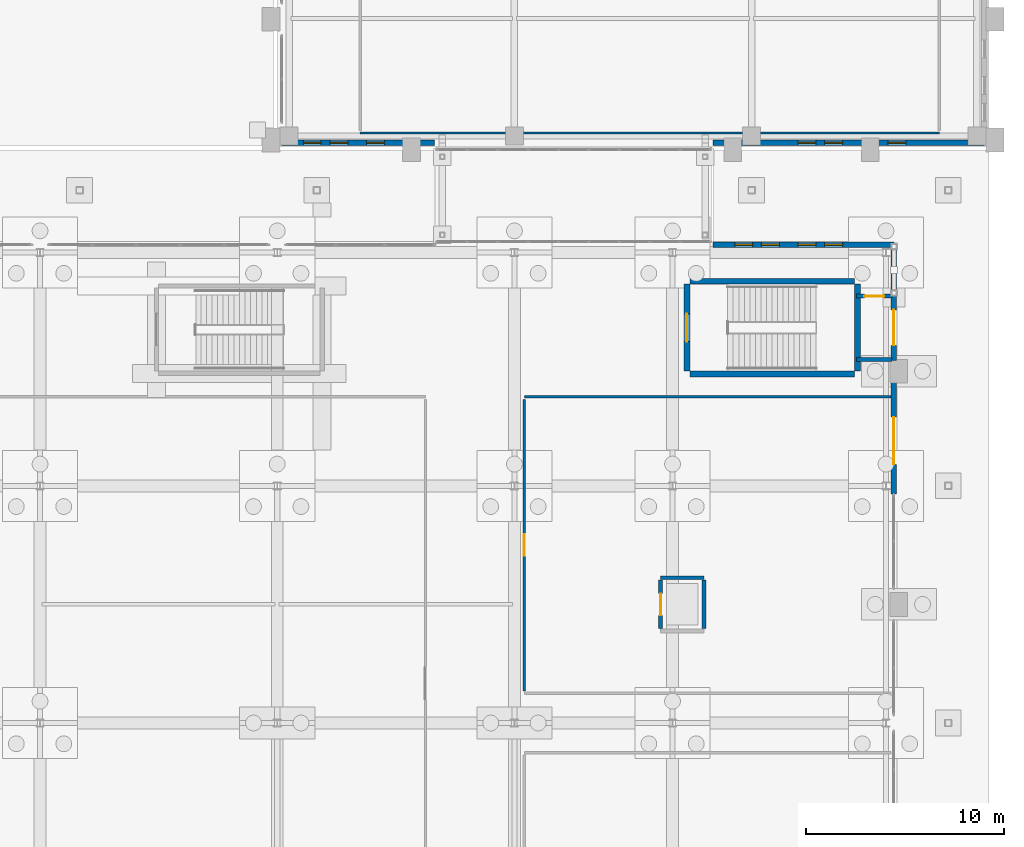
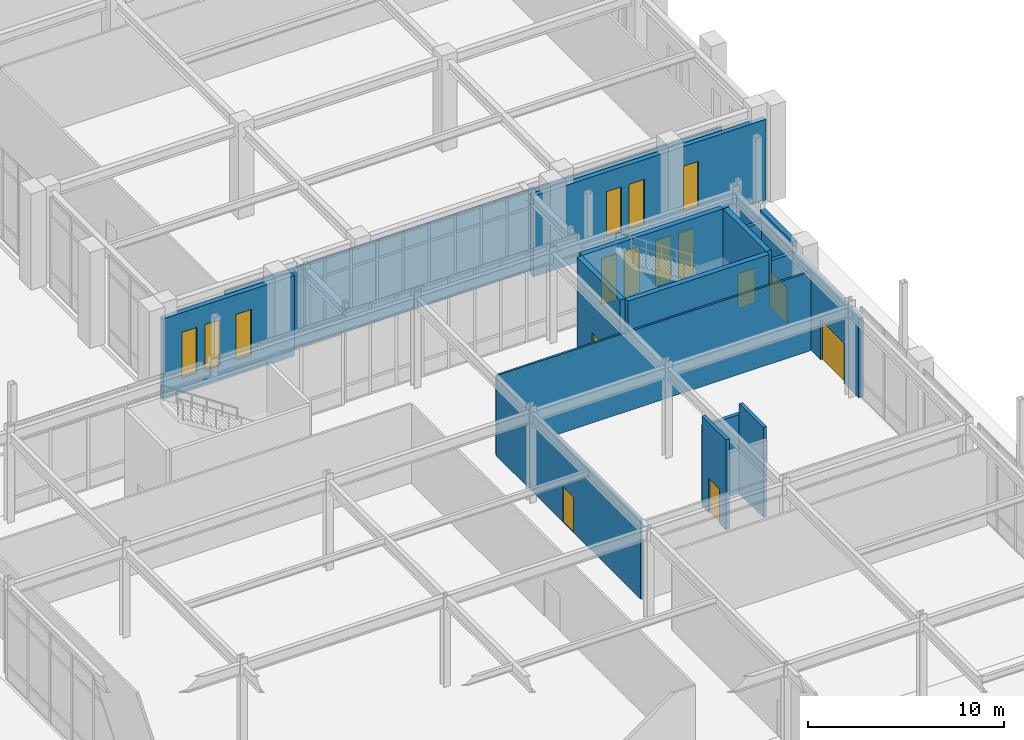
# One storey, part 117 of 143: 18 walls, 10 windows, 6 doors, 16 openings.
"""IFC4 building model written with IfcOpenShell, lengths in metres."""

from ifc_helpers import new_model, si_unit, derived_unit, direction, frame, frame_2d, origin, place, context, subcontext, project, spatial, rectangle, extrude, material, layer, layer_set, type_object, element, fill, save


model = new_model("IFC4")

# Units and contexts
model_context = context("Model", 3, precision=1e-05, world=origin(), true_north=direction((0.0, 1.0)))
body_context = subcontext(model_context, "Body", "Model", "MODEL_VIEW")
ifc_project = project(units=[si_unit("LENGTHUNIT", "METRE"), si_unit("AREAUNIT", "SQUARE_METRE"), si_unit("VOLUMEUNIT", "CUBIC_METRE"), si_unit("PLANEANGLEUNIT", "RADIAN"), si_unit("MASSUNIT", "GRAM", prefix="KILO"), derived_unit("THERMALTRANSMITTANCEUNIT", [(si_unit("MASSUNIT", "GRAM", prefix="KILO"), 1), (si_unit("TIMEUNIT", "SECOND"), -3), (si_unit("THERMODYNAMICTEMPERATUREUNIT", "KELVIN"), -1)])], contexts=[model_context])

# Site, building, storey
site_placement = place(None, origin())
site = spatial("IfcSite", under=ifc_project, at=site_placement, CompositionType="ELEMENT")
building_placement = place(site_placement, origin())
building = spatial("IfcBuilding", under=site, at=building_placement, Name="Valcora Ridge Arena", CompositionType="ELEMENT")
storey_placement = place(building_placement, origin())
storey = spatial("IfcBuildingStorey", under=building, at=storey_placement, Name="L00", CompositionType="ELEMENT", Elevation=0.0)

# Wall, opening, door
ifc_material_1 = material(Name="Bush-hammered Andean travertine on concrete backup C40/50", Category="masonry")
ifc_layer_1 = layer(ifc_material_1, 0.280029296875, Name="Bush-hammered Andean travertine on concrete backup C40/50")
ifc_layer_set_1 = layer_set([ifc_layer_1], Name="Bush-hammered Andean travertine on concrete backup C40/50")
wall_type_1 = type_object("IfcWallType", Name="TY-WALL-EW-TRV-28-49", PredefinedType="STANDARD", material=ifc_layer_set_1)
wall_1_placement = place(storey_placement, frame((187.199951171875, 65.580078125, 0.0), z_axis=(0.0, 0.0, 1.0), x_axis=(0.0, 1.0, 0.0)))
wall_1 = element("IfcWall", 1, at=wall_1_placement, inside=storey, type_object=wall_type_1, Name="EW-TRV-28-49 WAL-EW-0011", PredefinedType="STANDARD", context=body_context, shape_type="SweptSolid", body=[
    extrude(rectangle(XDim=6.81982421875, YDim=0.280029296875, at=frame_2d((3.409912109375, 0.0))), origin(), (0.0, 0.0, 1.0), 4.927001953125),
])
opening_1_placement = place(wall_1_placement, frame((1.5, 0.0, 0.0)))
opening_1 = element("IfcOpeningElement", 2, at=opening_1_placement, cuts=wall_1, Name="Opening E-MAIN-2400", PredefinedType="OPENING", context=body_context, shape_type="SweptSolid", body=[
    extrude(rectangle(XDim=2.39990234375, YDim=2.5, at=frame_2d((1.199951171875, 1.25))), frame((0.0, 0.14990234375, 0.0), z_axis=(0.0, -1.0, 0.0), x_axis=(1.0, 0.0, 0.0)), (0.0, 0.0, 1.0), 0.300048828125),
])
ifc_material_2 = material(Name="Thermally broken bronze aluminium glazed entrance leaf", Category="aluminium")
door_type_1 = type_object("IfcDoorType", Name="TY-DOOR-E-MAIN-2400", OperationType="NOTDEFINED", PredefinedType="DOOR", material=ifc_material_2)
door_1_placement = place(opening_1_placement, origin())
door_1 = element("IfcDoor", 3, at=door_1_placement, inside=storey, type_object=door_type_1, Name="E-MAIN-2400 DOR-EX-0009", OperationType="DOUBLE_DOOR_SINGLE_SWING", OverallHeight=2.5, OverallWidth=2.39990234375, PredefinedType="DOOR", context=body_context, shape_type="SweptSolid", body=[
    extrude(rectangle(XDim=2.39990234375, YDim=2.5, at=frame_2d((1.199951171875, 1.25))), frame((0.0, 0.02490234375, 0.0), z_axis=(0.0, -1.0, 0.0), x_axis=(1.0, 0.0, 0.0)), (0.0, 0.0, 1.0), 0.050048828125),
])
fill(opening_1, door_1)

# Wall
wall_2_placement = place(storey_placement, frame((187.199951171875, 75.60009765625, 0.0), z_axis=(0.0, 0.0, 1.0), x_axis=(0.0, 1.0, 0.0)))
element("IfcWall", 4, at=wall_2_placement, inside=storey, type_object=wall_type_1, Name="EW-TRV-28-49 WAL-EW-0012", PredefinedType="STANDARD", context=body_context, shape_type="SweptSolid", body=[
    extrude(rectangle(XDim=2.599853515625, YDim=0.280029296875, at=frame_2d((1.2998046875, 0.0))), origin(), (0.0, 0.0, 1.0), 4.927001953125),
])

# Wall, openings, windows
wall_3_placement = place(storey_placement, frame((178.050048828125, 78.199951171875, 0.0), z_axis=(0.0, 0.0, 1.0), x_axis=(1.0, 0.0, 0.0)))
wall_3 = element("IfcWall", 5, at=wall_3_placement, inside=storey, type_object=wall_type_1, Name="EW-TRV-28-49 WAL-EW-0013", PredefinedType="STANDARD", context=body_context, shape_type="SweptSolid", body=[
    extrude(rectangle(XDim=9.14990234375, YDim=0.280029296875, at=frame_2d((4.574951171875, 0.0))), origin(), (0.0, 0.0, 1.0), 4.927001953125),
])
opening_2_placement = place(wall_3_placement, frame((1.10009765625, 0.0, 0.949951171875)))
opening_2 = element("IfcOpeningElement", 6, at=opening_2_placement, cuts=wall_3, Name="Opening W-GLAN-90X285", PredefinedType="OPENING", context=body_context, shape_type="SweptSolid", body=[
    extrude(rectangle(XDim=0.89990234375, YDim=2.85009765625, at=frame_2d((0.449951171875, 1.425048828125))), frame((0.0, 0.14990234375, 0.0), z_axis=(0.0, -1.0, 0.0), x_axis=(1.0, 0.0, 0.0)), (0.0, 0.0, 1.0), 0.300048828125),
])
opening_3_placement = place(wall_3_placement, frame((2.449951171875, 0.0, 0.949951171875)))
opening_3 = element("IfcOpeningElement", 7, at=opening_3_placement, cuts=wall_3, Name="Opening W-GLAN-90X285", PredefinedType="OPENING", context=body_context, shape_type="SweptSolid", body=[
    extrude(rectangle(XDim=0.89990234375, YDim=2.85009765625, at=frame_2d((0.449951171875, 1.425048828125))), frame((0.0, 0.14990234375, 0.0), z_axis=(0.0, -1.0, 0.0), x_axis=(1.0, 0.0, 0.0)), (0.0, 0.0, 1.0), 0.300048828125),
])
opening_4_placement = place(wall_3_placement, frame((4.300048828125, 0.0, 0.949951171875)))
opening_4 = element("IfcOpeningElement", 8, at=opening_4_placement, cuts=wall_3, Name="Opening W-GLAN-90X285", PredefinedType="OPENING", context=body_context, shape_type="SweptSolid", body=[
    extrude(rectangle(XDim=0.89990234375, YDim=2.85009765625, at=frame_2d((0.449951171875, 1.425048828125))), frame((0.0, 0.14990234375, 0.0), z_axis=(0.0, -1.0, 0.0), x_axis=(1.0, 0.0, 0.0)), (0.0, 0.0, 1.0), 0.300048828125),
])
opening_5_placement = place(wall_3_placement, frame((5.64990234375, 0.0, 0.949951171875)))
opening_5 = element("IfcOpeningElement", 9, at=opening_5_placement, cuts=wall_3, Name="Opening W-GLAN-90X285", PredefinedType="OPENING", context=body_context, shape_type="SweptSolid", body=[
    extrude(rectangle(XDim=0.89990234375, YDim=2.85009765625, at=frame_2d((0.449951171875, 1.425048828125))), frame((0.0, 0.14990234375, 0.0), z_axis=(0.0, -1.0, 0.0), x_axis=(1.0, 0.0, 0.0)), (0.0, 0.0, 1.0), 0.300048828125),
])
ifc_material_3 = material(Name="Low-iron solar-control double glazing SHGC 0.28", Category="glass")
window_type = type_object("IfcWindowType", Name="TY-WINDOW-W-GLAN-90X285", PartitioningType="DOUBLE_PANEL_VERTICAL", PredefinedType="WINDOW", material=ifc_material_3)
window_1_placement = place(opening_2_placement, origin())
window_1 = element("IfcWindow", 10, at=window_1_placement, inside=storey, type_object=window_type, Name="W-GLAN-90X285 WIN-EX-0001", OverallHeight=2.85009765625, OverallWidth=0.89990234375, PartitioningType="DOUBLE_PANEL_VERTICAL", PredefinedType="WINDOW", context=body_context, shape_type="SweptSolid", body=[
    extrude(rectangle(XDim=0.89990234375, YDim=2.85009765625, at=frame_2d((0.449951171875, 1.425048828125))), frame((0.0, 0.030029296875, 0.0), z_axis=(0.0, -1.0, 0.0), x_axis=(1.0, 0.0, 0.0)), (0.0, 0.0, 1.0), 0.06005859375),
])
fill(opening_2, window_1)
window_2_placement = place(opening_3_placement, origin())
window_2 = element("IfcWindow", 11, at=window_2_placement, inside=storey, type_object=window_type, Name="W-GLAN-90X285 WIN-EX-0002", OverallHeight=2.85009765625, OverallWidth=0.89990234375, PartitioningType="DOUBLE_PANEL_VERTICAL", PredefinedType="WINDOW", context=body_context, shape_type="SweptSolid", body=[
    extrude(rectangle(XDim=0.89990234375, YDim=2.85009765625, at=frame_2d((0.449951171875, 1.425048828125))), frame((0.0, 0.030029296875, 0.0), z_axis=(0.0, -1.0, 0.0), x_axis=(1.0, 0.0, 0.0)), (0.0, 0.0, 1.0), 0.06005859375),
])
fill(opening_3, window_2)
window_3_placement = place(opening_4_placement, origin())
window_3 = element("IfcWindow", 12, at=window_3_placement, inside=storey, type_object=window_type, Name="W-GLAN-90X285 WIN-EX-0003", OverallHeight=2.85009765625, OverallWidth=0.89990234375, PartitioningType="DOUBLE_PANEL_VERTICAL", PredefinedType="WINDOW", context=body_context, shape_type="SweptSolid", body=[
    extrude(rectangle(XDim=0.89990234375, YDim=2.85009765625, at=frame_2d((0.449951171875, 1.425048828125))), frame((0.0, 0.030029296875, 0.0), z_axis=(0.0, -1.0, 0.0), x_axis=(1.0, 0.0, 0.0)), (0.0, 0.0, 1.0), 0.06005859375),
])
fill(opening_4, window_3)
window_4_placement = place(opening_5_placement, origin())
window_4 = element("IfcWindow", 13, at=window_4_placement, inside=storey, type_object=window_type, Name="W-GLAN-90X285 WIN-EX-0004", OverallHeight=2.85009765625, OverallWidth=0.89990234375, PartitioningType="DOUBLE_PANEL_VERTICAL", PredefinedType="WINDOW", context=body_context, shape_type="SweptSolid", body=[
    extrude(rectangle(XDim=0.89990234375, YDim=2.85009765625, at=frame_2d((0.449951171875, 1.425048828125))), frame((0.0, 0.030029296875, 0.0), z_axis=(0.0, -1.0, 0.0), x_axis=(1.0, 0.0, 0.0)), (0.0, 0.0, 1.0), 0.06005859375),
])
fill(opening_5, window_4)

ifc_layer_2 = layer(ifc_material_1, 0.280029296875, Name="Bush-hammered Andean travertine on concrete backup C40/50")
ifc_layer_set_2 = layer_set([ifc_layer_2], Name="Bush-hammered Andean travertine on concrete backup C40/50")
wall_type_2 = type_object("IfcWallType", Name="TY-WALL-EW-TRV-28-50", PredefinedType="STANDARD", material=ifc_layer_set_2)
wall_4_placement = place(storey_placement, frame((156.219970703125, 83.35009765625, 0.0), z_axis=(0.0, 0.0, 1.0), x_axis=(1.0, 0.0, 0.0)))
wall_4 = element("IfcWall", 14, at=wall_4_placement, inside=storey, type_object=wall_type_2, Name="EW-TRV-28-50 WAL-EW-0134", PredefinedType="STANDARD", context=body_context, shape_type="SweptSolid", body=[
    extrude(rectangle(XDim=7.72998046875, YDim=0.280029296875, at=frame_2d((3.864990234375, 0.0))), origin(), (0.0, 0.0, 1.0), 5.028076171875),
])
opening_6_placement = place(wall_4_placement, frame((1.10009765625, 0.0, 0.949951171875)))
opening_6 = element("IfcOpeningElement", 15, at=opening_6_placement, cuts=wall_4, Name="Opening W-GLAN-90X285", PredefinedType="OPENING", context=body_context, shape_type="SweptSolid", body=[
    extrude(rectangle(XDim=0.89990234375, YDim=2.85009765625, at=frame_2d((0.449951171875, 1.425048828125))), frame((0.0, 0.14990234375, 0.0), z_axis=(0.0, -1.0, 0.0), x_axis=(1.0, 0.0, 0.0)), (0.0, 0.0, 1.0), 0.300048828125),
])
opening_7_placement = place(wall_4_placement, frame((2.449951171875, 0.0, 0.949951171875)))
opening_7 = element("IfcOpeningElement", 16, at=opening_7_placement, cuts=wall_4, Name="Opening W-GLAN-90X285", PredefinedType="OPENING", context=body_context, shape_type="SweptSolid", body=[
    extrude(rectangle(XDim=0.89990234375, YDim=2.85009765625, at=frame_2d((0.449951171875, 1.425048828125))), frame((0.0, 0.14990234375, 0.0), z_axis=(0.0, -1.0, 0.0), x_axis=(1.0, 0.0, 0.0)), (0.0, 0.0, 1.0), 0.300048828125),
])
opening_8_placement = place(wall_4_placement, frame((4.300048828125, 0.0, 0.949951171875)))
opening_8 = element("IfcOpeningElement", 17, at=opening_8_placement, cuts=wall_4, Name="Opening W-GLAN-90X285", PredefinedType="OPENING", context=body_context, shape_type="SweptSolid", body=[
    extrude(rectangle(XDim=0.89990234375, YDim=2.85009765625, at=frame_2d((0.449951171875, 1.425048828125))), frame((0.0, 0.14990234375, 0.0), z_axis=(0.0, -1.0, 0.0), x_axis=(1.0, 0.0, 0.0)), (0.0, 0.0, 1.0), 0.300048828125),
])
window_5_placement = place(opening_6_placement, origin())
window_5 = element("IfcWindow", 18, at=window_5_placement, inside=storey, type_object=window_type, Name="W-GLAN-90X285 WIN-EX-0398", OverallHeight=2.85009765625, OverallWidth=0.89990234375, PartitioningType="DOUBLE_PANEL_VERTICAL", PredefinedType="WINDOW", context=body_context, shape_type="SweptSolid", body=[
    extrude(rectangle(XDim=0.89990234375, YDim=2.85009765625, at=frame_2d((0.449951171875, 1.425048828125))), frame((0.0, 0.030029296875, 0.0), z_axis=(0.0, -1.0, 0.0), x_axis=(1.0, 0.0, 0.0)), (0.0, 0.0, 1.0), 0.06005859375),
])
fill(opening_6, window_5)
window_6_placement = place(opening_7_placement, origin())
window_6 = element("IfcWindow", 19, at=window_6_placement, inside=storey, type_object=window_type, Name="W-GLAN-90X285 WIN-EX-0399", OverallHeight=2.85009765625, OverallWidth=0.89990234375, PartitioningType="DOUBLE_PANEL_VERTICAL", PredefinedType="WINDOW", context=body_context, shape_type="SweptSolid", body=[
    extrude(rectangle(XDim=0.89990234375, YDim=2.85009765625, at=frame_2d((0.449951171875, 1.425048828125))), frame((0.0, 0.030029296875, 0.0), z_axis=(0.0, -1.0, 0.0), x_axis=(1.0, 0.0, 0.0)), (0.0, 0.0, 1.0), 0.06005859375),
])
fill(opening_7, window_6)
window_7_placement = place(opening_8_placement, origin())
window_7 = element("IfcWindow", 20, at=window_7_placement, inside=storey, type_object=window_type, Name="W-GLAN-90X285 WIN-EX-0400", OverallHeight=2.85009765625, OverallWidth=0.89990234375, PartitioningType="DOUBLE_PANEL_VERTICAL", PredefinedType="WINDOW", context=body_context, shape_type="SweptSolid", body=[
    extrude(rectangle(XDim=0.89990234375, YDim=2.85009765625, at=frame_2d((0.449951171875, 1.425048828125))), frame((0.0, 0.030029296875, 0.0), z_axis=(0.0, -1.0, 0.0), x_axis=(1.0, 0.0, 0.0)), (0.0, 0.0, 1.0), 0.06005859375),
])
fill(opening_8, window_7)

wall_5_placement = place(storey_placement, frame((178.050048828125, 83.35009765625, 0.0), z_axis=(0.0, 0.0, 1.0), x_axis=(1.0, 0.0, 0.0)))
wall_5 = element("IfcWall", 21, at=wall_5_placement, inside=storey, type_object=wall_type_2, Name="EW-TRV-28-50 WAL-EW-0135", PredefinedType="STANDARD", context=body_context, shape_type="SweptSolid", body=[
    extrude(rectangle(XDim=13.72998046875, YDim=0.280029296875, at=frame_2d((6.864990234375, 0.0))), origin(), (0.0, 0.0, 1.0), 5.028076171875),
])
opening_9_placement = place(wall_5_placement, frame((4.300048828125, 0.0, 0.949951171875)))
opening_9 = element("IfcOpeningElement", 22, at=opening_9_placement, cuts=wall_5, Name="Opening W-GLAN-90X285", PredefinedType="OPENING", context=body_context, shape_type="SweptSolid", body=[
    extrude(rectangle(XDim=0.89990234375, YDim=2.85009765625, at=frame_2d((0.449951171875, 1.425048828125))), frame((0.0, 0.14990234375, 0.0), z_axis=(0.0, -1.0, 0.0), x_axis=(1.0, 0.0, 0.0)), (0.0, 0.0, 1.0), 0.300048828125),
])
opening_10_placement = place(wall_5_placement, frame((5.64990234375, 0.0, 0.949951171875)))
opening_10 = element("IfcOpeningElement", 23, at=opening_10_placement, cuts=wall_5, Name="Opening W-GLAN-90X285", PredefinedType="OPENING", context=body_context, shape_type="SweptSolid", body=[
    extrude(rectangle(XDim=0.89990234375, YDim=2.85009765625, at=frame_2d((0.449951171875, 1.425048828125))), frame((0.0, 0.14990234375, 0.0), z_axis=(0.0, -1.0, 0.0), x_axis=(1.0, 0.0, 0.0)), (0.0, 0.0, 1.0), 0.300048828125),
])
opening_11_placement = place(wall_5_placement, frame((8.85009765625, 0.0, 0.949951171875)))
opening_11 = element("IfcOpeningElement", 24, at=opening_11_placement, cuts=wall_5, Name="Opening W-GLAN-90X285", PredefinedType="OPENING", context=body_context, shape_type="SweptSolid", body=[
    extrude(rectangle(XDim=0.89990234375, YDim=2.85009765625, at=frame_2d((0.449951171875, 1.425048828125))), frame((0.0, 0.14990234375, 0.0), z_axis=(0.0, -1.0, 0.0), x_axis=(1.0, 0.0, 0.0)), (0.0, 0.0, 1.0), 0.300048828125),
])
window_8_placement = place(opening_9_placement, origin())
window_8 = element("IfcWindow", 25, at=window_8_placement, inside=storey, type_object=window_type, Name="W-GLAN-90X285 WIN-EX-0401", OverallHeight=2.85009765625, OverallWidth=0.89990234375, PartitioningType="DOUBLE_PANEL_VERTICAL", PredefinedType="WINDOW", context=body_context, shape_type="SweptSolid", body=[
    extrude(rectangle(XDim=0.89990234375, YDim=2.85009765625, at=frame_2d((0.449951171875, 1.425048828125))), frame((0.0, 0.030029296875, 0.0), z_axis=(0.0, -1.0, 0.0), x_axis=(1.0, 0.0, 0.0)), (0.0, 0.0, 1.0), 0.06005859375),
])
fill(opening_9, window_8)
window_9_placement = place(opening_10_placement, origin())
window_9 = element("IfcWindow", 26, at=window_9_placement, inside=storey, type_object=window_type, Name="W-GLAN-90X285 WIN-EX-0402", OverallHeight=2.85009765625, OverallWidth=0.89990234375, PartitioningType="DOUBLE_PANEL_VERTICAL", PredefinedType="WINDOW", context=body_context, shape_type="SweptSolid", body=[
    extrude(rectangle(XDim=0.89990234375, YDim=2.85009765625, at=frame_2d((0.449951171875, 1.425048828125))), frame((0.0, 0.030029296875, 0.0), z_axis=(0.0, -1.0, 0.0), x_axis=(1.0, 0.0, 0.0)), (0.0, 0.0, 1.0), 0.06005859375),
])
fill(opening_10, window_9)
window_10_placement = place(opening_11_placement, origin())
window_10 = element("IfcWindow", 27, at=window_10_placement, inside=storey, type_object=window_type, Name="W-GLAN-90X285 WIN-EX-0403", OverallHeight=2.85009765625, OverallWidth=0.89990234375, PartitioningType="DOUBLE_PANEL_VERTICAL", PredefinedType="WINDOW", context=body_context, shape_type="SweptSolid", body=[
    extrude(rectangle(XDim=0.89990234375, YDim=2.85009765625, at=frame_2d((0.449951171875, 1.425048828125))), frame((0.0, 0.030029296875, 0.0), z_axis=(0.0, -1.0, 0.0), x_axis=(1.0, 0.0, 0.0)), (0.0, 0.0, 1.0), 0.06005859375),
])
fill(opening_11, window_10)

# Wall, opening, door
ifc_layer_3 = layer(ifc_material_1, 0.280029296875, Name="Bush-hammered Andean travertine on concrete backup C40/50")
ifc_layer_set_3 = layer_set([ifc_layer_3], Name="Bush-hammered Andean travertine on concrete backup C40/50")
wall_type_3 = type_object("IfcWallType", Name="TY-WALL-EW-TRV-XP-56", PredefinedType="STANDARD", material=ifc_layer_set_3)
wall_6_placement = place(storey_placement, frame((187.199951171875, 75.64990234375, 0.0), z_axis=(0.0, 0.0, 1.0), x_axis=(0.0, -1.0, 0.0)))
wall_6 = element("IfcWall", 28, at=wall_6_placement, inside=storey, type_object=wall_type_3, Name="EW-TRV-XP-56 WAL-XP-0038", PredefinedType="STANDARD", context=body_context, shape_type="SweptSolid", body=[
    extrude(rectangle(XDim=3.2998046875, YDim=0.280029296875, at=frame_2d((1.64990234375, 0.0))), origin(), (0.0, 0.0, 1.0), 5.6201171875),
])
opening_12_placement = place(wall_6_placement, frame((0.75, 0.0, 0.0)))
opening_12 = element("IfcOpeningElement", 29, at=opening_12_placement, cuts=wall_6, Name="Opening D-EXP-1800", PredefinedType="OPENING", context=body_context, shape_type="SweptSolid", body=[
    extrude(rectangle(XDim=1.800048828125, YDim=2.25, at=frame_2d((0.89990234375, 1.125))), frame((0.0, 0.14990234375, 0.0), z_axis=(0.0, -1.0, 0.0), x_axis=(1.0, 0.0, 0.0)), (0.0, 0.0, 1.0), 0.300048828125),
])
ifc_material_4 = material(Name="Insulated fire-rated steel door leaf", Category="steel")
door_type_2 = type_object("IfcDoorType", Name="TY-DOOR-D-EXP-1800", OperationType="NOTDEFINED", PredefinedType="DOOR", material=ifc_material_4)
door_2_placement = place(opening_12_placement, origin())
door_2 = element("IfcDoor", 30, at=door_2_placement, inside=storey, type_object=door_type_2, Name="Final Exit Discharge Door ST12", OperationType="DOUBLE_DOOR_SINGLE_SWING", OverallHeight=2.25, OverallWidth=1.800048828125, PredefinedType="DOOR", context=body_context, shape_type="SweptSolid", body=[
    extrude(rectangle(XDim=1.800048828125, YDim=2.25, at=frame_2d((0.89990234375, 1.125))), frame((0.0, 0.02490234375, 0.0), z_axis=(0.0, -1.0, 0.0), x_axis=(1.0, 0.0, 0.0)), (0.0, 0.0, 1.0), 0.050048828125),
])
fill(opening_12, door_2)

# Wall
ifc_material_5 = material(Name="Fire-resisting reinforced concrete enclosure C40/50 200 mm", Category="concrete")
ifc_layer_4 = layer(ifc_material_5, 0.199951171875, Name="Fire-resisting reinforced concrete enclosure C40/50 200 mm")
ifc_layer_set_4 = layer_set([ifc_layer_4], Name="Fire-resisting reinforced concrete enclosure C40/50 200 mm")
wall_type_4 = type_object("IfcWallType", Name="TY-WALL-IW-FIRE-200", PredefinedType="STANDARD", material=ifc_layer_set_4)
wall_7_placement = place(storey_placement, frame((185.300048828125, 72.39990234375, 0.0), z_axis=(0.0, 0.0, 1.0), x_axis=(1.0, 0.0, 0.0)))
element("IfcWall", 31, at=wall_7_placement, inside=storey, type_object=wall_type_4, Name="IW-FIRE-200 WAL-XP-0039", PredefinedType="STANDARD", context=body_context, shape_type="SweptSolid", body=[
    extrude(rectangle(XDim=1.800048828125, YDim=0.199951171875, at=frame_2d((0.89990234375, 0.0))), origin(), (0.0, 0.0, 1.0), 4.927001953125),
])

# Wall, opening, door
wall_8_placement = place(storey_placement, frame((185.300048828125, 75.60009765625, 0.0), z_axis=(0.0, 0.0, 1.0), x_axis=(1.0, 0.0, 0.0)))
wall_8 = element("IfcWall", 32, at=wall_8_placement, inside=storey, type_object=wall_type_4, Name="IW-FIRE-200 WAL-XP-0040", PredefinedType="STANDARD", context=body_context, shape_type="SweptSolid", body=[
    extrude(rectangle(XDim=1.800048828125, YDim=0.199951171875, at=frame_2d((0.89990234375, 0.0))), origin(), (0.0, 0.0, 1.0), 4.927001953125),
])
opening_13_placement = place(wall_8_placement, frame((0.39990234375, 0.0, 0.0)))
opening_13 = element("IfcOpeningElement", 33, at=opening_13_placement, cuts=wall_8, Name="Opening FD-STE-1000", PredefinedType="OPENING", context=body_context, shape_type="SweptSolid", body=[
    extrude(rectangle(XDim=1.0, YDim=2.14990234375, at=frame_2d((0.5, 1.074951171875))), frame((0.0, 0.10986328125, 0.0), z_axis=(0.0, -1.0, 0.0), x_axis=(1.0, 0.0, 0.0)), (0.0, 0.0, 1.0), 0.219970703125),
])
door_type_3 = type_object("IfcDoorType", Name="TY-DOOR-FD-STE-1000", OperationType="NOTDEFINED", PredefinedType="DOOR", material=ifc_material_4)
door_3_placement = place(opening_13_placement, origin())
door_3 = element("IfcDoor", 34, at=door_3_placement, inside=storey, type_object=door_type_3, Name="FD-STE-1000 DOR-XP-0026", OperationType="SINGLE_SWING_RIGHT", OverallHeight=2.14990234375, OverallWidth=1.0, PredefinedType="DOOR", context=body_context, shape_type="SweptSolid", body=[
    extrude(rectangle(XDim=1.0, YDim=2.14990234375, at=frame_2d((0.5, 1.074951171875))), frame((0.0, 0.02490234375, 0.0), z_axis=(0.0, -1.0, 0.0), x_axis=(1.0, 0.0, 0.0)), (0.0, 0.0, 1.0), 0.050048828125),
])
fill(opening_13, door_3)

# Wall
ifc_material_6 = material(Name="Acoustic metal-stud gypsum partition 120 mm")
ifc_layer_5 = layer(ifc_material_6, 0.1201171875, Name="Acoustic metal-stud gypsum partition 120 mm")
ifc_layer_set_5 = layer_set([ifc_layer_5], Name="Acoustic metal-stud gypsum partition 120 mm")
wall_type_5 = type_object("IfcWallType", Name="TY-WALL-IW-PART-120", PredefinedType="PARTITIONING", material=ifc_layer_set_5)
wall_9_placement = place(storey_placement, frame((168.5, 70.5, 0.0), z_axis=(0.0, 0.0, 1.0), x_axis=(1.0, 0.0, 0.0)))
element("IfcWall", 35, at=wall_9_placement, inside=storey, type_object=wall_type_5, Name="IW-PART-120 WAL-IN-0255", PredefinedType="PARTITIONING", context=body_context, shape_type="SweptSolid", body=[
    extrude(rectangle(XDim=18.550048828125, YDim=0.1201171875, at=frame_2d((9.27490234375, 0.0))), origin(), (0.0, 0.0, 1.0), 4.927001953125),
])

# Wall, opening, door
wall_10_placement = place(storey_placement, frame((168.5, 55.6201171875, 0.0), z_axis=(0.0, 0.0, 1.0), x_axis=(0.0, 1.0, 0.0)))
wall_10 = element("IfcWall", 36, at=wall_10_placement, inside=storey, type_object=wall_type_5, Name="IW-PART-120 WAL-IN-0256", PredefinedType="PARTITIONING", context=body_context, shape_type="SweptSolid", body=[
    extrude(rectangle(XDim=14.759765625, YDim=0.1201171875, at=frame_2d((7.3798828125, 0.0))), origin(), (0.0, 0.0, 1.0), 4.927001953125),
])
opening_14_placement = place(wall_10_placement, frame((6.830078125, 0.0, 0.0)))
opening_14 = element("IfcOpeningElement", 37, at=opening_14_placement, cuts=wall_10, Name="Opening D-INT-1100", PredefinedType="OPENING", context=body_context, shape_type="SweptSolid", body=[
    extrude(rectangle(XDim=1.10009765625, YDim=2.199951171875, at=frame_2d((0.550048828125, 1.10009765625))), frame((0.0, 0.070068359375, 0.0), z_axis=(0.0, -1.0, 0.0), x_axis=(1.0, 0.0, 0.0)), (0.0, 0.0, 1.0), 0.14013671875),
])
ifc_material_7 = material(Name="Solid-core acoustic timber veneer door leaf", Category="wood")
door_type_4 = type_object("IfcDoorType", Name="TY-DOOR-D-INT-1100", OperationType="NOTDEFINED", PredefinedType="DOOR", material=ifc_material_7)
door_4_placement = place(opening_14_placement, origin())
door_4 = element("IfcDoor", 38, at=door_4_placement, inside=storey, type_object=door_type_4, Name="D-INT-1100 DOR-IN-0068", OperationType="SINGLE_SWING_RIGHT", OverallHeight=2.199951171875, OverallWidth=1.10009765625, PredefinedType="DOOR", context=body_context, shape_type="SweptSolid", body=[
    extrude(rectangle(XDim=1.10009765625, YDim=2.199951171875, at=frame_2d((0.550048828125, 1.10009765625))), frame((0.0, 0.02490234375, 0.0), z_axis=(0.0, -1.0, 0.0), x_axis=(1.0, 0.0, 0.0)), (0.0, 0.0, 1.0), 0.050048828125),
])
fill(opening_14, door_4)

# Walls
wall_11_placement = place(storey_placement, frame((160.199951171875, 83.85009765625, 0.0), z_axis=(0.0, 0.0, 1.0), x_axis=(1.0, 0.0, 0.0)))
element("IfcWall", 39, at=wall_11_placement, inside=storey, type_object=wall_type_5, Name="IW-PART-120 WAL-IN-0285", PredefinedType="PARTITIONING", context=body_context, shape_type="SweptSolid", body=[
    extrude(rectangle(XDim=29.300048828125, YDim=0.1201171875, at=frame_2d((14.64990234375, 0.0))), origin(), (0.0, 0.0, 1.0), 5.028076171875),
])
ifc_material_8 = material(Name="Concrete C40/50", Category="concrete")
ifc_layer_6 = layer(ifc_material_8, 0.199951171875, Name="Concrete C40/50")
ifc_layer_set_6 = layer_set([ifc_layer_6], Name="Concrete C40/50")
wall_type_6 = type_object("IfcWallType", Name="TY-WALL-IW-SHF-200", PredefinedType="STANDARD", material=ifc_layer_set_6)
wall_12_placement = place(storey_placement, frame((175.39990234375, 61.35009765625, 0.0), z_axis=(0.0, 0.0, 1.0), x_axis=(1.0, 0.0, 0.0)))
element("IfcWall", 40, at=wall_12_placement, inside=storey, type_object=wall_type_6, Name="IW-SHF-200 WAL-SH-0234", PredefinedType="STANDARD", context=body_context, shape_type="SweptSolid", body=[
    extrude(rectangle(XDim=2.2001953125, YDim=0.199951171875, at=frame_2d((1.10009765625, 0.0))), origin(), (0.0, 0.0, 1.0), 4.927001953125),
])

# Wall, opening, door
wall_13_placement = place(storey_placement, frame((175.39990234375, 58.77001953125, 0.0), z_axis=(0.0, 0.0, 1.0), x_axis=(0.0, 1.0, 0.0)))
wall_13 = element("IfcWall", 41, at=wall_13_placement, inside=storey, type_object=wall_type_6, Name="IW-SHF-200 WAL-SH-0235", PredefinedType="STANDARD", context=body_context, shape_type="SweptSolid", body=[
    extrude(rectangle(XDim=2.4599609375, YDim=0.199951171875, at=frame_2d((1.22998046875, 0.0))), origin(), (0.0, 0.0, 1.0), 5.6201171875),
])
opening_15_placement = place(wall_13_placement, frame((0.679931640625, 0.0, 0.0)))
opening_15 = element("IfcOpeningElement", 42, at=opening_15_placement, cuts=wall_13, Name="Opening LD-PAX", PredefinedType="OPENING", context=body_context, shape_type="SweptSolid", body=[
    extrude(rectangle(XDim=1.10009765625, YDim=2.14990234375, at=frame_2d((0.550048828125, 1.074951171875))), frame((0.0, 0.10986328125, 0.0), z_axis=(0.0, -1.0, 0.0), x_axis=(1.0, 0.0, 0.0)), (0.0, 0.0, 1.0), 0.219970703125),
])
ifc_material_9 = material(Name="Insulated fire-rated hollow metal steel", Category="steel")
door_type_5 = type_object("IfcDoorType", Name="TY-DOOR-LD-PAX", OperationType="NOTDEFINED", PredefinedType="DOOR", material=ifc_material_9)
door_5_placement = place(opening_15_placement, origin())
door_5 = element("IfcDoor", 43, at=door_5_placement, inside=storey, type_object=door_type_5, Name="CL4 Landing Door L00", OperationType="SLIDING_TO_LEFT", OverallHeight=2.14990234375, OverallWidth=1.10009765625, PredefinedType="DOOR", context=body_context, shape_type="SweptSolid", body=[
    extrude(rectangle(XDim=1.10009765625, YDim=2.14990234375, at=frame_2d((0.550048828125, 1.074951171875))), frame((0.0, 0.02490234375, 0.0), z_axis=(0.0, -1.0, 0.0), x_axis=(1.0, 0.0, 0.0)), (0.0, 0.0, 1.0), 0.050048828125),
])
fill(opening_15, door_5)

# Walls
wall_14_placement = place(storey_placement, frame((177.60009765625, 58.77001953125, 0.0), z_axis=(0.0, 0.0, 1.0), x_axis=(0.0, 1.0, 0.0)))
element("IfcWall", 44, at=wall_14_placement, inside=storey, type_object=wall_type_6, Name="IW-SHF-200 WAL-SH-0236", PredefinedType="STANDARD", context=body_context, shape_type="SweptSolid", body=[
    extrude(rectangle(XDim=2.4599609375, YDim=0.199951171875, at=frame_2d((1.22998046875, 0.0))), origin(), (0.0, 0.0, 1.0), 5.6201171875),
])
ifc_material_10 = material(Name="Concrete C45/55", Category="concrete")
ifc_layer_7 = layer(ifc_material_10, 0.300048828125, Name="Concrete C45/55")
ifc_layer_set_7 = layer_set([ifc_layer_7], Name="Concrete C45/55")
wall_type_7 = type_object("IfcWallType", Name="TY-WALL-SW-C300-L", PredefinedType="SHEAR", material=ifc_layer_set_7)
for number, where, z_axis, x_axis, name in (
    (45, (176.8798828125, 71.64990234375, 0.0), (0.0, 0.0, 1.0), (1.0, 0.0, 0.0), "SW-C300-L WAL-CR-0229"),
    (46, (176.8798828125, 76.35009765625, 0.0), (0.0, 0.0, 1.0), (1.0, 0.0, 0.0), "SW-C300-L WAL-CR-0230"),
):
    element("IfcWall", number, at=place(storey_placement, frame(where, z_axis=z_axis, x_axis=x_axis)), inside=storey, type_object=wall_type_7, Name=name, PredefinedType="SHEAR", context=body_context, shape_type="SweptSolid", body=[
        extrude(rectangle(XDim=8.320068359375, YDim=0.300048828125, at=frame_2d((4.16015625, 0.0))), origin(), (0.0, 0.0, 1.0), 6.0),
    ])

# Wall, opening, door
ifc_layer_8 = layer(ifc_material_10, 0.300048828125, Name="Concrete C45/55")
ifc_layer_set_8 = layer_set([ifc_layer_8], Name="Concrete C45/55")
wall_type_8 = type_object("IfcWallType", Name="TY-WALL-SW-C300-S", PredefinedType="SHEAR", material=ifc_layer_set_8)
wall_15_placement = place(storey_placement, frame((176.72998046875, 71.800048828125, 0.0), z_axis=(0.0, 0.0, 1.0), x_axis=(0.0, 1.0, 0.0)))
wall_15 = element("IfcWall", 47, at=wall_15_placement, inside=storey, type_object=wall_type_8, Name="SW-C300-S WAL-CR-0231", PredefinedType="SHEAR", context=body_context, shape_type="SweptSolid", body=[
    extrude(rectangle(XDim=4.39990234375, YDim=0.300048828125, at=frame_2d((2.199951171875, 0.0))), origin(), (0.0, 0.0, 1.0), 6.0),
])
opening_16_placement = place(wall_15_placement, frame((1.5, 0.0, 0.0)))
opening_16 = element("IfcOpeningElement", 48, at=opening_16_placement, cuts=wall_15, Name="Opening FD-01", PredefinedType="OPENING", context=body_context, shape_type="SweptSolid", body=[
    extrude(rectangle(XDim=1.39990234375, YDim=2.199951171875, at=frame_2d((0.699951171875, 1.10009765625))), frame((0.0, 0.159912109375, 0.0), z_axis=(0.0, -1.0, 0.0), x_axis=(1.0, 0.0, 0.0)), (0.0, 0.0, 1.0), 0.320068359375),
])
door_type_6 = type_object("IfcDoorType", Name="TY-DOOR-FD-01", OperationType="NOTDEFINED", PredefinedType="DOOR", material=ifc_material_4)
door_6_placement = place(opening_16_placement, origin())
door_6 = element("IfcDoor", 49, at=door_6_placement, inside=storey, type_object=door_type_6, Name="FD-01 DOR-ST-0058", OperationType="DOUBLE_DOOR_SINGLE_SWING", OverallHeight=2.199951171875, OverallWidth=1.39990234375, PredefinedType="DOOR", context=body_context, shape_type="SweptSolid", body=[
    extrude(rectangle(XDim=1.39990234375, YDim=2.199951171875, at=frame_2d((0.699951171875, 1.10009765625))), frame((0.0, 0.02490234375, 0.0), z_axis=(0.0, -1.0, 0.0), x_axis=(1.0, 0.0, 0.0)), (0.0, 0.0, 1.0), 0.050048828125),
])
fill(opening_16, door_6)

# Wall
wall_16_placement = place(storey_placement, frame((185.35009765625, 71.800048828125, 0.0), z_axis=(0.0, 0.0, 1.0), x_axis=(0.0, 1.0, 0.0)))
element("IfcWall", 50, at=wall_16_placement, inside=storey, type_object=wall_type_8, Name="SW-C300-S WAL-CR-0232", PredefinedType="SHEAR", context=body_context, shape_type="SweptSolid", body=[
    extrude(rectangle(XDim=4.39990234375, YDim=0.300048828125, at=frame_2d((2.199951171875, 0.0))), origin(), (0.0, 0.0, 1.0), 6.0),
])

save(model, "model.ifc")
